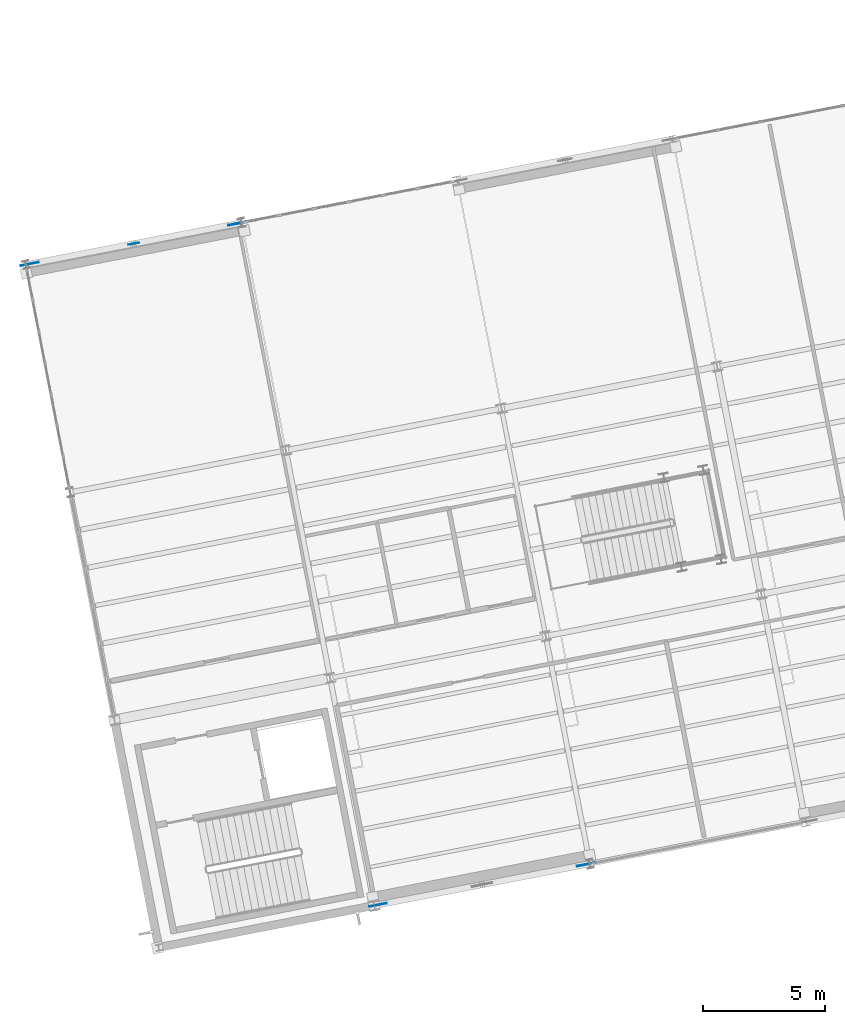
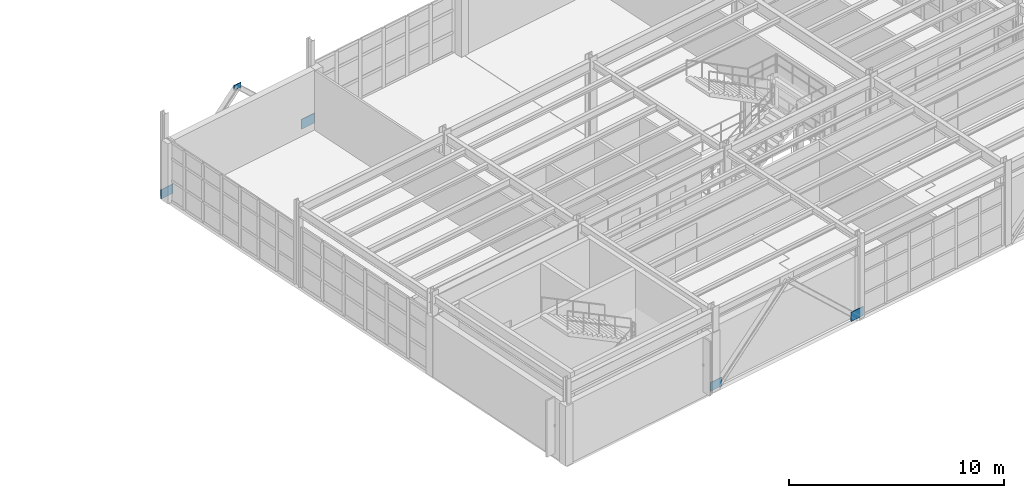
# One storey, part 77 of 109: 5 plates.
"""IFC4 building model written with IfcOpenShell, lengths in metres."""

from ifc_helpers import new_model, si_unit, direction, frame, origin, origin_2d, place, context, subcontext, project, spatial, rectangle, extrude, material, layer, layer_set, type_object, element, save


model = new_model("IFC4")

# Units and contexts
model_context = context("Model", 3, precision=1e-05, world=origin(), true_north=direction((0.0, 1.0)))
body_context = subcontext(model_context, "Body", "Model", "MODEL_VIEW")
ifc_project = project(units=[si_unit("LENGTHUNIT", "METRE"), si_unit("AREAUNIT", "SQUARE_METRE"), si_unit("VOLUMEUNIT", "CUBIC_METRE"), si_unit("PLANEANGLEUNIT", "RADIAN"), si_unit("MASSUNIT", "GRAM", prefix="KILO")], contexts=[model_context])

# Site, building, storey
site_placement = place(None, origin())
site = spatial("IfcSite", under=ifc_project, at=site_placement, CompositionType="ELEMENT")
building_placement = place(site_placement, origin())
building = spatial("IfcBuilding", under=site, at=building_placement, Name="Vireo Bluff Cable Station", CompositionType="ELEMENT")
storey_placement = place(building_placement, frame((0.0, 0.0, 4.800048828125)))
storey = spatial("IfcBuildingStorey", under=building, at=storey_placement, Name="L01", CompositionType="ELEMENT", Elevation=4.800048828125)

# Plates
ifc_material = material(Name="Steel ASTM A572 Gr. 50", Category="steel")
ifc_layer_1 = layer(ifc_material, 0.01708984375, Name="Steel ASTM A572 Gr. 50")
ifc_layer_set_1 = layer_set([ifc_layer_1], Name="Steel ASTM A572 Gr. 50")
plate_type_1 = type_object("IfcPlateType", Name="GUSSET-440X290X17", PredefinedType="USERDEFINED", material=ifc_layer_set_1)
plate_1_placement = place(storey_placement, frame((8.479248046875, 34.3349609375, 4.034912109375), z_axis=(0.0, 0.0, 1.0), x_axis=(0.981627183448, 0.190808995377, 0.0)))
element("IfcPlate", 1, at=plate_1_placement, inside=storey, type_object=plate_type_1, Name="V5 L01 chevron gusset plate 250", ObjectType="GUSSET PLATE", PredefinedType="USERDEFINED", context=body_context, shape_type="SweptSolid", body=[
    extrude(rectangle(XDim=0.43994140625, YDim=0.01708984375, at=origin_2d()), origin(), (0.0, 0.0, 1.0), 0.2900390625),
])
ifc_layer_2 = layer(ifc_material, 0.031005859375, Name="Steel ASTM A572 Gr. 50")
ifc_layer_set_2 = layer_set([ifc_layer_2], Name="Steel ASTM A572 Gr. 50")
plate_type_2 = type_object("IfcPlateType", Name="GUSSET-720X490X31", PredefinedType="USERDEFINED", material=ifc_layer_set_2)
plate_2_placement = place(storey_placement, frame((18.49169921875, 7.247802734375, -0.02490234375), z_axis=(0.0, 0.0, 1.0), x_axis=(0.981627183448, 0.190808995377, 0.0)))
element("IfcPlate", 2, at=plate_2_placement, inside=storey, type_object=plate_type_2, Name="V5 L01 brace base gusset plate 257", ObjectType="GUSSET PLATE", PredefinedType="USERDEFINED", context=body_context, shape_type="SweptSolid", body=[
    extrude(rectangle(XDim=0.719970703125, YDim=0.031005859375, at=origin_2d()), origin(), (0.0, 0.0, 1.0), 0.489990234375),
])
ifc_layer_3 = layer(ifc_material, 0.031982421875, Name="Steel ASTM A572 Gr. 50")
ifc_layer_set_3 = layer_set([ifc_layer_3], Name="Steel ASTM A572 Gr. 50")
plate_type_3 = type_object("IfcPlateType", Name="GUSSET-750X520X32", PredefinedType="USERDEFINED", material=ifc_layer_set_3)
plate_3_placement = place(storey_placement, frame((4.218994140625, 33.5068359375, -0.0400390625), z_axis=(0.0, 0.0, 1.0), x_axis=(0.981627183448, 0.190808995377, 0.0)))
element("IfcPlate", 3, at=plate_3_placement, inside=storey, type_object=plate_type_3, Name="V5 L01 brace base gusset plate 248", ObjectType="GUSSET PLATE", PredefinedType="USERDEFINED", context=body_context, shape_type="SweptSolid", body=[
    extrude(rectangle(XDim=0.75, YDim=0.031982421875, at=origin_2d()), origin(), (0.0, 0.0, 1.0), 0.52001953125),
])
ifc_layer_4 = layer(ifc_material, 0.032958984375, Name="Steel ASTM A572 Gr. 50")
ifc_layer_set_4 = layer_set([ifc_layer_4], Name="Steel ASTM A572 Gr. 50")
plate_type_4 = type_object("IfcPlateType", Name="GUSSET-760X530X33", PredefinedType="USERDEFINED", material=ifc_layer_set_4)
plate_4_placement = place(storey_placement, frame((27.01220703125, 8.904052734375, -0.044921875), z_axis=(0.0, 0.0, 1.0), x_axis=(0.981627183448, 0.190808995377, 0.0)))
element("IfcPlate", 4, at=plate_4_placement, inside=storey, type_object=plate_type_4, Name="V5 L01 brace base gusset plate 258", ObjectType="GUSSET PLATE", PredefinedType="USERDEFINED", context=body_context, shape_type="SweptSolid", body=[
    extrude(rectangle(XDim=0.760009765625, YDim=0.032958984375, at=origin_2d()), origin(), (0.0, 0.0, 1.0), 0.530029296875),
])
ifc_layer_5 = layer(ifc_material, 0.034912109375, Name="Steel ASTM A572 Gr. 50")
ifc_layer_set_5 = layer_set([ifc_layer_5], Name="Steel ASTM A572 Gr. 50")
plate_type_5 = type_object("IfcPlateType", Name="GUSSET-800X560X35", PredefinedType="USERDEFINED", material=ifc_layer_set_5)
plate_5_placement = place(storey_placement, frame((12.739501953125, 35.1630859375, -0.06005859375), z_axis=(0.0, 0.0, 1.0), x_axis=(0.981627183448, 0.190808995377, 0.0)))
element("IfcPlate", 5, at=plate_5_placement, inside=storey, type_object=plate_type_5, Name="V5 L01 brace base gusset plate 249", ObjectType="GUSSET PLATE", PredefinedType="USERDEFINED", context=body_context, shape_type="SweptSolid", body=[
    extrude(rectangle(XDim=0.800048828125, YDim=0.034912109375, at=origin_2d()), origin(), (0.0, 0.0, 1.0), 0.56005859375),
])

save(model, "model.ifc")
